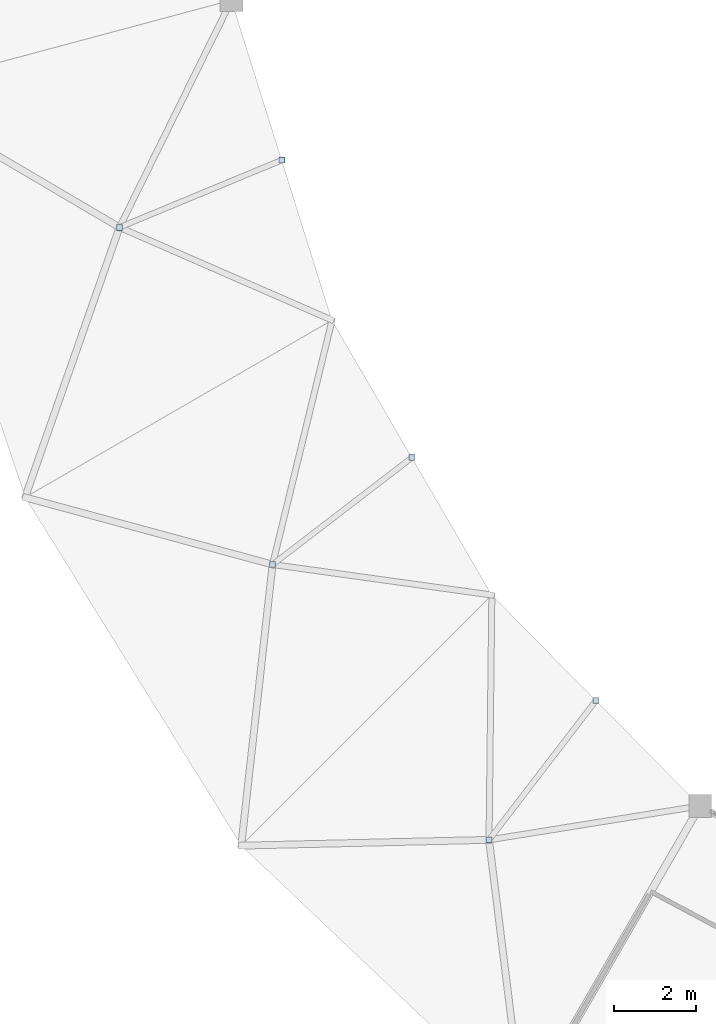
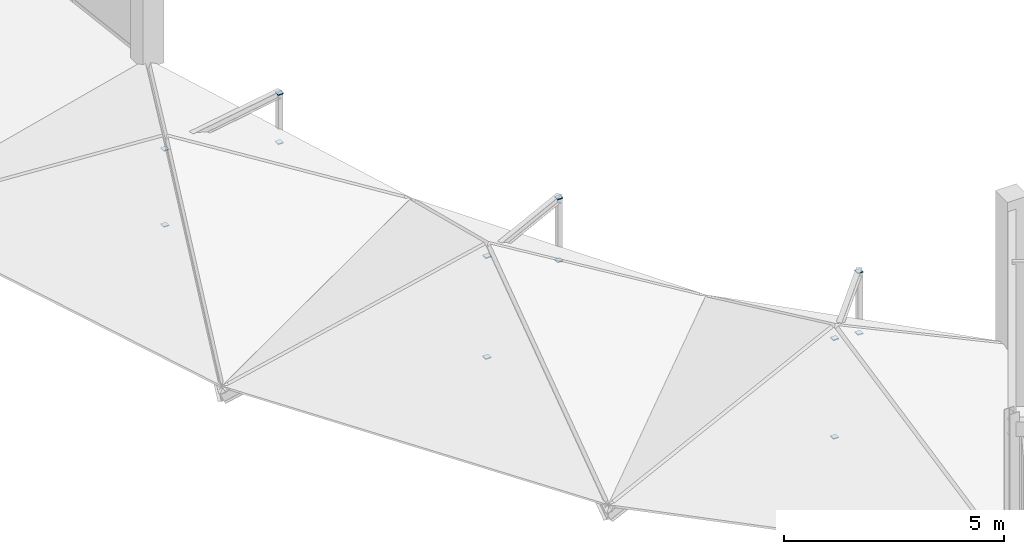
# One storey, part 86 of 106: 12 plates.
"""IFC4 building model written with IfcOpenShell, lengths in metres."""

from ifc_helpers import new_model, si_unit, direction, frame, origin, origin_2d, place, context, subcontext, project, spatial, rectangle, extrude, material, layer, layer_set, type_object, element, save


model = new_model("IFC4")

# Units and contexts
model_context = context("Model", 3, precision=1e-05, world=origin(), true_north=direction((0.0, 1.0)))
body_context = subcontext(model_context, "Body", "Model", "MODEL_VIEW")
ifc_project = project(units=[si_unit("LENGTHUNIT", "METRE"), si_unit("AREAUNIT", "SQUARE_METRE"), si_unit("VOLUMEUNIT", "CUBIC_METRE"), si_unit("PLANEANGLEUNIT", "RADIAN"), si_unit("MASSUNIT", "GRAM", prefix="KILO")], contexts=[model_context])

# Site, building, storey
site_placement = place(None, origin())
site = spatial("IfcSite", under=ifc_project, at=site_placement, CompositionType="ELEMENT")
building_placement = place(site_placement, origin())
building = spatial("IfcBuilding", under=site, at=building_placement, Name="Karori Crest Natural Sciences Institute", CompositionType="ELEMENT")
storey_placement = place(building_placement, frame((0.0, 0.0, 25.89990234375)))
storey = spatial("IfcBuildingStorey", under=building, at=storey_placement, Name="L06", CompositionType="ELEMENT", Elevation=25.89990234375)

# Plates
ifc_material = material(Name="Structural steel AS/NZS 3679.1 Grade 350", Category="steel")
ifc_layer = layer(ifc_material, 0.02490234375, Name="Structural steel AS/NZS 3679.1 Grade 350")
ifc_layer_set = layer_set([ifc_layer], Name="Structural steel AS/NZS 3679.1 Grade 350")
plate_type = type_object("IfcPlateType", Name="PLT-06-EL", PredefinedType="SHEET", material=ifc_layer_set)
for number, where, z_axis, x_axis, name in (
    (1, (40.111572265625, 36.051513671875, -0.269775390625), (0.0, 0.0, 1.0), (1.0, 0.0, 0.0), "Hollow section end cap EP-0109"),
    (2, (40.111572265625, 36.051513671875, 1.836181640625), (0.0, 0.0, 1.0), (1.0, 0.0, 0.0), "Hollow section end cap EP-0110"),
    (3, (44.05029296875, 37.68310546875, -0.347900390625), (0.0, 0.0, 1.0), (1.0, 0.0, 0.0), "Hollow section end cap EP-0111"),
    (4, (44.05029296875, 37.68310546875, 1.01513671875), (0.0, 0.0, 1.0), (1.0, 0.0, 0.0), "Hollow section end cap EP-0112"),
    (5, (43.82568359375, 27.870361328125, -0.269775390625), (0.0, 0.0, 1.0), (1.0, 0.0, 0.0), "Hollow section end cap EP-0113"),
    (6, (43.82568359375, 27.870361328125, 2.526123046875), (0.0, 0.0, 1.0), (1.0, 0.0, 0.0), "Hollow section end cap EP-0114"),
    (7, (47.207763671875, 30.465576171875, -0.347900390625), (0.0, 0.0, 1.0), (1.0, 0.0, 0.0), "Hollow section end cap EP-0115"),
    (8, (47.207763671875, 30.465576171875, 1.39208984375), (0.0, 0.0, 1.0), (1.0, 0.0, 0.0), "Hollow section end cap EP-0116"),
    (9, (49.077880859375, 21.1904296875, -0.269775390625), (0.0, 0.0, 1.0), (1.0, 0.0, 0.0), "Hollow section end cap EP-0117"),
    (10, (49.077880859375, 21.1904296875, 2.462158203125), (0.0, 0.0, 1.0), (1.0, 0.0, 0.0), "Hollow section end cap EP-0118"),
    (11, (51.67333984375, 24.572509765625, -0.347900390625), (0.0, 0.0, 1.0), (1.0, 0.0, 0.0), "Hollow section end cap EP-0119"),
    (12, (51.67333984375, 24.572509765625, 1.356201171875), (0.0, 0.0, 1.0), (1.0, 0.0, 0.0), "Hollow section end cap EP-0120"),
):
    element("IfcPlate", number, at=place(storey_placement, frame(where, z_axis=z_axis, x_axis=x_axis)), inside=storey, type_object=plate_type, Name=name, PredefinedType="SHEET", context=body_context, shape_type="SweptSolid", body=[
        extrude(rectangle(XDim=0.14501953125, YDim=0.14501953125, at=origin_2d()), origin(), (0.0, 0.0, 1.0), 0.02490234375),
    ])

save(model, "model.ifc")
